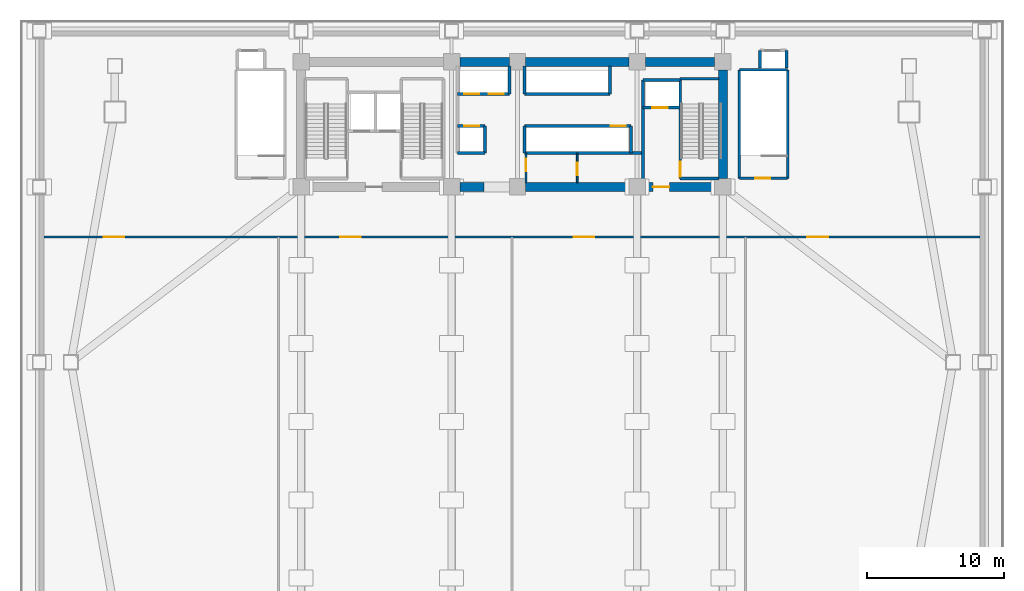
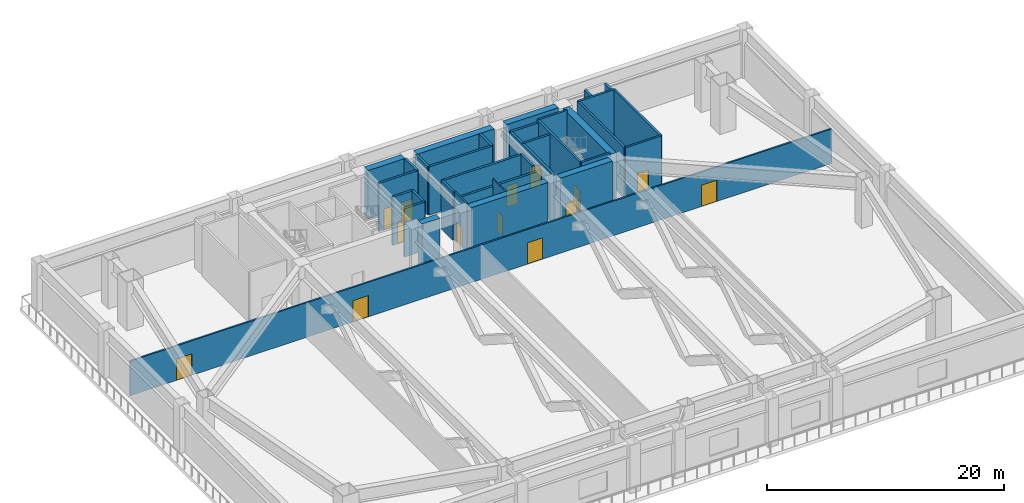
# One storey, part 4 of 8: 34 walls, 14 doors, 14 openings.
"""IFC4 building model written with IfcOpenShell, lengths in metres."""

from ifc_helpers import new_model, si_unit, direction, frame, frame_2d, origin, place, context, subcontext, project, spatial, rectangle, extrude, source, transform, mapped, material, layer, layer_set, type_object, element, fill, save


model = new_model("IFC4")

# Units and contexts
model_context = context("Model", 3, precision=1e-05, world=origin(), true_north=direction((0.0, 1.0)))
body_context = subcontext(model_context, "Body", "Model", "MODEL_VIEW")
ifc_project = project(units=[si_unit("LENGTHUNIT", "METRE"), si_unit("AREAUNIT", "SQUARE_METRE"), si_unit("VOLUMEUNIT", "CUBIC_METRE"), si_unit("PLANEANGLEUNIT", "RADIAN"), si_unit("MASSUNIT", "GRAM", prefix="KILO")], contexts=[model_context])

# Site, building, storey
site_placement = place(None, origin())
site = spatial("IfcSite", under=ifc_project, at=site_placement, CompositionType="ELEMENT")
building_placement = place(site_placement, origin())
building = spatial("IfcBuilding", under=site, at=building_placement, Name="Giltprow Tower", CompositionType="ELEMENT")
storey_placement = place(building_placement, frame((0.0, 0.0, 20.199951171875)))
storey = spatial("IfcBuildingStorey", under=building, at=storey_placement, Name="L05", CompositionType="ELEMENT", Elevation=20.199951171875)

# Wall, openings, doors
ifc_material_1 = material(Name="Gypsum stud partition", Category="gypsum")
ifc_layer_1 = layer(ifc_material_1, 0.159912109375, Name="Gypsum stud partition")
ifc_layer_set_1 = layer_set([ifc_layer_1], Name="Gypsum stud partition")
wall_type_1 = type_object("IfcWallType", Name="IW-DEMISE-160", PredefinedType="PARTITIONING", material=ifc_layer_set_1)
wall_1_placement = place(storey_placement, frame((0.97998046875, 33.800048828125, 0.0), z_axis=(0.0, 0.0, 1.0), x_axis=(1.0, 0.0, 0.0)))
wall_1 = element("IfcWall", 1, at=wall_1_placement, inside=storey, type_object=wall_type_1, Name="L05 Plant Ring Corridor South Wall", PredefinedType="PARTITIONING", context=body_context, shape_type="SweptSolid", body=[
    extrude(rectangle(XDim=68.43994140625, YDim=0.159912109375, at=frame_2d((34.219970703125, 0.0))), origin(), (0.0, 0.0, 1.0), 3.56494140625),
])
opening_1_placement = place(wall_1_placement, frame((4.5, 0.0, 0.0)))
opening_1 = element("IfcOpeningElement", 2, at=opening_1_placement, cuts=wall_1, Name="Opening ID25", PredefinedType="OPENING", context=body_context, shape_type="SweptSolid", body=[
    extrude(rectangle(XDim=1.5, YDim=2.199951171875, at=frame_2d((0.75, 1.10009765625))), frame((0.0, 0.08984375, 0.0), z_axis=(0.0, -1.0, 0.0), x_axis=(1.0, 0.0, 0.0)), (0.0, 0.0, 1.0), 0.179931640625),
])
opening_2_placement = place(wall_1_placement, frame((21.719970703125, 0.0, 0.0)))
opening_2 = element("IfcOpeningElement", 3, at=opening_2_placement, cuts=wall_1, Name="Opening ID25", PredefinedType="OPENING", context=body_context, shape_type="SweptSolid", body=[
    extrude(rectangle(XDim=1.5, YDim=2.199951171875, at=frame_2d((0.75, 1.10009765625))), frame((0.0, 0.08984375, 0.0), z_axis=(0.0, -1.0, 0.0), x_axis=(1.0, 0.0, 0.0)), (0.0, 0.0, 1.0), 0.179931640625),
])
opening_3_placement = place(wall_1_placement, frame((38.719970703125, 0.0, 0.0)))
opening_3 = element("IfcOpeningElement", 4, at=opening_3_placement, cuts=wall_1, Name="Opening ID25", PredefinedType="OPENING", context=body_context, shape_type="SweptSolid", body=[
    extrude(rectangle(XDim=1.5, YDim=2.199951171875, at=frame_2d((0.75, 1.10009765625))), frame((0.0, 0.08984375, 0.0), z_axis=(0.0, -1.0, 0.0), x_axis=(1.0, 0.0, 0.0)), (0.0, 0.0, 1.0), 0.179931640625),
])
opening_4_placement = place(wall_1_placement, frame((55.719970703125, 0.0, 0.0)))
opening_4 = element("IfcOpeningElement", 5, at=opening_4_placement, cuts=wall_1, Name="Opening ID25", PredefinedType="OPENING", context=body_context, shape_type="SweptSolid", body=[
    extrude(rectangle(XDim=1.5, YDim=2.199951171875, at=frame_2d((0.75, 1.10009765625))), frame((0.0, 0.08984375, 0.0), z_axis=(0.0, -1.0, 0.0), x_axis=(1.0, 0.0, 0.0)), (0.0, 0.0, 1.0), 0.179931640625),
])
ifc_material_2 = material(Name="Steel fire leaf", Category="steel")
door_type_1 = type_object("IfcDoorType", Name="DR-PLANT-1500", OperationType="DOUBLE_SWING_LEFT", PredefinedType="DOOR", material=ifc_material_2)
shared_shape_1 = source(origin(), body_context, "Body", "SweptSolid", [
    extrude(rectangle(XDim=1.5, YDim=2.199951171875, at=frame_2d((0.75, 1.10009765625))), frame((0.0, 0.02490234375, 0.0), z_axis=(0.0, -1.0, 0.0), x_axis=(1.0, 0.0, 0.0)), (0.0, 0.0, 1.0), 0.050048828125),
])
door_1_placement = place(opening_1_placement, origin())
door_1 = element("IfcDoor", 6, at=door_1_placement, inside=storey, type_object=door_type_1, Name="L05 Podium Air Handling Plant Room Door", OperationType="DOUBLE_SWING_LEFT", OverallHeight=2.199951171875, OverallWidth=1.5, PredefinedType="DOOR", context=body_context, shape_type="MappedRepresentation", body=[
    mapped(shared_shape_1, transform((0.0, 0.0, 0.0), x_axis=(1.0, 0.0, 0.0), y_axis=(0.0, 1.0, 0.0), z_axis=(0.0, 0.0, 1.0), scale=1.0)),
])
fill(opening_1, door_1)
door_2_placement = place(opening_2_placement, origin())
door_2 = element("IfcDoor", 7, at=door_2_placement, inside=storey, type_object=door_type_1, Name="L05 Transfer Level Heat Exchange Plant Room Door", OperationType="DOUBLE_SWING_LEFT", OverallHeight=2.199951171875, OverallWidth=1.5, PredefinedType="DOOR", context=body_context, shape_type="MappedRepresentation", body=[
    mapped(shared_shape_1, transform((0.0, 0.0, 0.0), x_axis=(1.0, 0.0, 0.0), y_axis=(0.0, 1.0, 0.0), z_axis=(0.0, 0.0, 1.0), scale=1.0)),
])
fill(opening_2, door_2)
door_3_placement = place(opening_3_placement, origin())
door_3 = element("IfcDoor", 8, at=door_3_placement, inside=storey, type_object=door_type_1, Name="L05 Low-Zone Chilled Water Pump Plant Room Door", OperationType="DOUBLE_SWING_LEFT", OverallHeight=2.199951171875, OverallWidth=1.5, PredefinedType="DOOR", context=body_context, shape_type="MappedRepresentation", body=[
    mapped(shared_shape_1, transform((0.0, 0.0, 0.0), x_axis=(1.0, 0.0, 0.0), y_axis=(0.0, 1.0, 0.0), z_axis=(0.0, 0.0, 1.0), scale=1.0)),
])
fill(opening_3, door_3)
door_4_placement = place(opening_4_placement, origin())
door_4 = element("IfcDoor", 9, at=door_4_placement, inside=storey, type_object=door_type_1, Name="L05 Smoke Control and Pressurization Fan Plant Room Door", OperationType="DOUBLE_SWING_LEFT", OverallHeight=2.199951171875, OverallWidth=1.5, PredefinedType="DOOR", context=body_context, shape_type="MappedRepresentation", body=[
    mapped(shared_shape_1, transform((0.0, 0.0, 0.0), x_axis=(1.0, 0.0, 0.0), y_axis=(0.0, 1.0, 0.0), z_axis=(0.0, 0.0, 1.0), scale=1.0)),
])
fill(opening_4, door_4)

# Wall, opening, door
ifc_material_3 = material(Name="Concrete C40", Category="concrete")
ifc_layer_2 = layer(ifc_material_3, 0.219970703125, Name="Concrete C40")
ifc_layer_set_2 = layer_set([ifc_layer_2], Name="Concrete C40")
wall_type_2 = type_object("IfcWallType", Name="IW-SHAFT-220", PredefinedType="SOLIDWALL", material=ifc_layer_set_2)
wall_2_placement = place(storey_placement, frame((44.719970703125, 43.219970703125, 0.0), z_axis=(0.0, 0.0, 1.0), x_axis=(1.0, 0.0, 0.0)))
wall_2 = element("IfcWall", 10, at=wall_2_placement, inside=storey, type_object=wall_type_2, Name="L05 FFL2 Front Shaft Wall", PredefinedType="SOLIDWALL", context=body_context, shape_type="SweptSolid", body=[
    extrude(rectangle(XDim=2.719970703125, YDim=0.219970703125, at=frame_2d((1.35986328125, 0.0))), origin(), (0.0, 0.0, 1.0), 4.97998046875),
])
opening_5_placement = place(wall_2_placement, frame((0.699951171875, 0.0, 0.0)))
opening_5 = element("IfcOpeningElement", 11, at=opening_5_placement, cuts=wall_2, Name="Opening LD-11", PredefinedType="OPENING", context=body_context, shape_type="SweptSolid", body=[
    extrude(rectangle(XDim=1.10009765625, YDim=2.199951171875, at=frame_2d((0.550048828125, 1.10009765625))), frame((0.0, 0.119873046875, 0.0), z_axis=(0.0, -1.0, 0.0), x_axis=(1.0, 0.0, 0.0)), (0.0, 0.0, 1.0), 0.239990234375),
])
ifc_material_4 = material(Name="Stainless steel", Category="steel")
door_type_2 = type_object("IfcDoorType", Name="DR-LIFT-LD1100", OperationType="SLIDING_TO_LEFT", PredefinedType="DOOR", material=ifc_material_4)
shared_shape_2 = source(origin(), body_context, "Body", "SweptSolid", [
    extrude(rectangle(XDim=1.10009765625, YDim=2.199951171875, at=frame_2d((0.550048828125, 1.10009765625))), frame((0.0, 0.02490234375, 0.0), z_axis=(0.0, -1.0, 0.0), x_axis=(1.0, 0.0, 0.0)), (0.0, 0.0, 1.0), 0.050048828125),
])
door_5_placement = place(opening_5_placement, origin())
door_5 = element("IfcDoor", 12, at=door_5_placement, inside=storey, type_object=door_type_2, Name="L05 FFL2 Landing Door", OperationType="SLIDING_TO_LEFT", OverallHeight=2.199951171875, OverallWidth=1.10009765625, PredefinedType="DOOR", context=body_context, shape_type="MappedRepresentation", body=[
    mapped(shared_shape_2, transform((0.0, 0.0, 0.0), x_axis=(1.0, 0.0, 0.0), y_axis=(0.0, 1.0, 0.0), z_axis=(0.0, 0.0, 1.0), scale=1.0)),
])
fill(opening_5, door_5)

# Walls
wall_3_placement = place(storey_placement, frame((44.719970703125, 45.219970703125, 0.0), z_axis=(0.0, 0.0, 1.0), x_axis=(1.0, 0.0, 0.0)))
element("IfcWall", 13, at=wall_3_placement, inside=storey, type_object=wall_type_2, Name="L05 FFL2 Back Shaft Wall", PredefinedType="SOLIDWALL", context=body_context, shape_type="SweptSolid", body=[
    extrude(rectangle(XDim=2.719970703125, YDim=0.219970703125, at=frame_2d((1.35986328125, 0.0))), origin(), (0.0, 0.0, 1.0), 4.97998046875),
])
wall_4_placement = place(storey_placement, frame((44.719970703125, 37.7548828125, 0.0), z_axis=(0.0, 0.0, 1.0), x_axis=(0.0, 1.0, 0.0)))
element("IfcWall", 14, at=wall_4_placement, inside=storey, type_object=wall_type_2, Name="L05 East Firefighting Lobby West Wall", PredefinedType="SOLIDWALL", context=body_context, shape_type="SweptSolid", body=[
    extrude(rectangle(XDim=7.465087890625, YDim=0.219970703125, at=frame_2d((3.732421875, 0.0))), origin(), (0.0, 0.0, 1.0), 4.97998046875),
])
for number, where, z_axis, x_axis, name in (
    (15, (53.22998046875, 46.090087890625, 0.0), (0.0, 0.0, 1.0), (0.0, 1.0, 0.0), "L05 PL-P2 West Shaft Wall"),
    (16, (55.18994140625, 46.090087890625, 0.0), (0.0, 0.0, 1.0), (0.0, 1.0, 0.0), "L05 PL-P2 East Shaft Wall"),
):
    element("IfcWall", number, at=place(storey_placement, frame(where, z_axis=z_axis, x_axis=x_axis)), inside=storey, type_object=wall_type_2, Name=name, PredefinedType="SOLIDWALL", context=body_context, shape_type="SweptSolid", body=[
        extrude(rectangle(XDim=1.289794921875, YDim=0.219970703125, at=frame_2d((0.64501953125, 0.0))), origin(), (0.0, 0.0, 1.0), 4.97998046875),
    ])

# Wall, openings, doors
wall_5_placement = place(storey_placement, frame((31.25, 44.219970703125, 0.0), z_axis=(0.0, 0.0, 1.0), x_axis=(1.0, 0.0, 0.0)))
wall_5 = element("IfcWall", 17, at=wall_5_placement, inside=storey, type_object=wall_type_2, Name="L05 North West Lift Shaft Front Wall", PredefinedType="SOLIDWALL", context=body_context, shape_type="SweptSolid", body=[
    extrude(rectangle(XDim=3.77001953125, YDim=0.219970703125, at=frame_2d((1.885009765625, 0.0))), origin(), (0.0, 0.0, 1.0), 4.97998046875),
])
opening_6_placement = place(wall_5_placement, frame((0.4599609375, 0.0, 0.0)))
opening_6 = element("IfcOpeningElement", 18, at=opening_6_placement, cuts=wall_5, Name="Opening LD-11", PredefinedType="OPENING", context=body_context, shape_type="SweptSolid", body=[
    extrude(rectangle(XDim=1.10009765625, YDim=2.199951171875, at=frame_2d((0.550048828125, 1.10009765625))), frame((0.0, 0.119873046875, 0.0), z_axis=(0.0, -1.0, 0.0), x_axis=(1.0, 0.0, 0.0)), (0.0, 0.0, 1.0), 0.239990234375),
])
opening_7_placement = place(wall_5_placement, frame((2.239990234375, 0.0, 0.0)))
opening_7 = element("IfcOpeningElement", 19, at=opening_7_placement, cuts=wall_5, Name="Opening LD-11", PredefinedType="OPENING", context=body_context, shape_type="SweptSolid", body=[
    extrude(rectangle(XDim=1.10009765625, YDim=2.199951171875, at=frame_2d((0.550048828125, 1.10009765625))), frame((0.0, 0.119873046875, 0.0), z_axis=(0.0, -1.0, 0.0), x_axis=(1.0, 0.0, 0.0)), (0.0, 0.0, 1.0), 0.239990234375),
])
door_6_placement = place(opening_6_placement, origin())
door_6 = element("IfcDoor", 20, at=door_6_placement, inside=storey, type_object=door_type_2, Name="L05 PL-L1 Landing Door", OperationType="SLIDING_TO_LEFT", OverallHeight=2.199951171875, OverallWidth=1.10009765625, PredefinedType="DOOR", context=body_context, shape_type="MappedRepresentation", body=[
    mapped(shared_shape_2, transform((0.0, 0.0, 0.0), x_axis=(1.0, 0.0, 0.0), y_axis=(0.0, 1.0, 0.0), z_axis=(0.0, 0.0, 1.0), scale=1.0)),
])
fill(opening_6, door_6)
door_7_placement = place(opening_7_placement, origin())
door_7 = element("IfcDoor", 21, at=door_7_placement, inside=storey, type_object=door_type_2, Name="L05 PL-L2 Landing Door", OperationType="SLIDING_TO_LEFT", OverallHeight=2.199951171875, OverallWidth=1.10009765625, PredefinedType="DOOR", context=body_context, shape_type="MappedRepresentation", body=[
    mapped(shared_shape_2, transform((0.0, 0.0, 0.0), x_axis=(1.0, 0.0, 0.0), y_axis=(0.0, 1.0, 0.0), z_axis=(0.0, 0.0, 1.0), scale=1.0)),
])
fill(opening_7, door_7)

# Walls
wall_6_placement = place(storey_placement, frame((36.1201171875, 44.219970703125, 0.0), z_axis=(0.0, 0.0, 1.0), x_axis=(1.0, 0.0, 0.0)))
element("IfcWall", 22, at=wall_6_placement, inside=storey, type_object=wall_type_2, Name="L05 North East Lift Shaft Front Wall", PredefinedType="SOLIDWALL", context=body_context, shape_type="SweptSolid", body=[
    extrude(rectangle(XDim=6.199951171875, YDim=0.219970703125, at=frame_2d((3.10009765625, 0.0))), origin(), (0.0, 0.0, 1.0), 4.97998046875),
])
for number, where, z_axis, x_axis, name in (
    (23, (35.02001953125, 44.219970703125, 0.0), (0.0, 0.0, 1.0), (0.0, 1.0, 0.0), "L05 North West Lift Shaft East Closure"),
    (24, (36.1201171875, 44.219970703125, 0.0), (0.0, 0.0, 1.0), (0.0, 1.0, 0.0), "L05 North East Lift Shaft West Closure"),
    (25, (42.320068359375, 44.219970703125, 0.0), (0.0, 0.0, 1.0), (0.0, 1.0, 0.0), "L05 North East Lift Shaft East Closure"),
):
    element("IfcWall", number, at=place(storey_placement, frame(where, z_axis=z_axis, x_axis=x_axis)), inside=storey, type_object=wall_type_2, Name=name, PredefinedType="SOLIDWALL", context=body_context, shape_type="SweptSolid", body=[
        extrude(rectangle(XDim=2.025146484375, YDim=0.219970703125, at=frame_2d((1.0126953125, 0.0))), origin(), (0.0, 0.0, 1.0), 4.97998046875),
    ])

# Wall, opening, door
wall_7_placement = place(storey_placement, frame((31.25, 41.8798828125, 0.0), z_axis=(0.0, 0.0, 1.0), x_axis=(1.0, 0.0, 0.0)))
wall_7 = element("IfcWall", 26, at=wall_7_placement, inside=storey, type_object=wall_type_2, Name="L05 South West Lift Shaft Front Wall", PredefinedType="SOLIDWALL", context=body_context, shape_type="SweptSolid", body=[
    extrude(rectangle(XDim=1.969970703125, YDim=0.219970703125, at=frame_2d((0.98486328125, 0.0))), origin(), (0.0, 0.0, 1.0), 4.97998046875),
])
opening_8_placement = place(wall_7_placement, frame((0.4599609375, 0.0, 0.0)))
opening_8 = element("IfcOpeningElement", 27, at=opening_8_placement, cuts=wall_7, Name="Opening LD-11", PredefinedType="OPENING", context=body_context, shape_type="SweptSolid", body=[
    extrude(rectangle(XDim=1.10009765625, YDim=2.199951171875, at=frame_2d((0.550048828125, 1.10009765625))), frame((0.0, 0.119873046875, 0.0), z_axis=(0.0, -1.0, 0.0), x_axis=(1.0, 0.0, 0.0)), (0.0, 0.0, 1.0), 0.239990234375),
])
door_8_placement = place(opening_8_placement, origin())
door_8 = element("IfcDoor", 28, at=door_8_placement, inside=storey, type_object=door_type_2, Name="L05 PL-L3 Landing Door", OperationType="SLIDING_TO_LEFT", OverallHeight=2.199951171875, OverallWidth=1.10009765625, PredefinedType="DOOR", context=body_context, shape_type="MappedRepresentation", body=[
    mapped(shared_shape_2, transform((0.0, 0.0, 0.0), x_axis=(1.0, 0.0, 0.0), y_axis=(0.0, 1.0, 0.0), z_axis=(0.0, 0.0, 1.0), scale=1.0)),
])
fill(opening_8, door_8)

wall_8_placement = place(storey_placement, frame((36.1201171875, 41.8798828125, 0.0), z_axis=(0.0, 0.0, 1.0), x_axis=(1.0, 0.0, 0.0)))
wall_8 = element("IfcWall", 29, at=wall_8_placement, inside=storey, type_object=wall_type_2, Name="L05 South East Lift Shaft Front Wall", PredefinedType="SOLIDWALL", context=body_context, shape_type="SweptSolid", body=[
    extrude(rectangle(XDim=7.72998046875, YDim=0.219970703125, at=frame_2d((3.864990234375, 0.0))), origin(), (0.0, 0.0, 1.0), 4.97998046875),
])
opening_9_placement = place(wall_8_placement, frame((6.260009765625, 0.0, 0.0)))
opening_9 = element("IfcOpeningElement", 30, at=opening_9_placement, cuts=wall_8, Name="Opening LD-11", PredefinedType="OPENING", context=body_context, shape_type="SweptSolid", body=[
    extrude(rectangle(XDim=1.10009765625, YDim=2.199951171875, at=frame_2d((0.550048828125, 1.10009765625))), frame((0.0, 0.119873046875, 0.0), z_axis=(0.0, -1.0, 0.0), x_axis=(1.0, 0.0, 0.0)), (0.0, 0.0, 1.0), 0.239990234375),
])
door_9_placement = place(opening_9_placement, origin())
door_9 = element("IfcDoor", 31, at=door_9_placement, inside=storey, type_object=door_type_2, Name="L05 PL-L4 Landing Door", OperationType="SLIDING_TO_LEFT", OverallHeight=2.199951171875, OverallWidth=1.10009765625, PredefinedType="DOOR", context=body_context, shape_type="MappedRepresentation", body=[
    mapped(shared_shape_2, transform((0.0, 0.0, 0.0), x_axis=(1.0, 0.0, 0.0), y_axis=(0.0, 1.0, 0.0), z_axis=(0.0, 0.0, 1.0), scale=1.0)),
])
fill(opening_9, door_9)

# Walls
wall_9_placement = place(storey_placement, frame((31.25, 39.919921875, 0.0), z_axis=(0.0, 0.0, 1.0), x_axis=(1.0, 0.0, 0.0)))
element("IfcWall", 32, at=wall_9_placement, inside=storey, type_object=wall_type_2, Name="L05 Low-Rise South Lift Back Wall", PredefinedType="SOLIDWALL", context=body_context, shape_type="SweptSolid", body=[
    extrude(rectangle(XDim=1.969970703125, YDim=0.219970703125, at=frame_2d((0.98486328125, 0.0))), origin(), (0.0, 0.0, 1.0), 4.97998046875),
])
wall_10_placement = place(storey_placement, frame((33.219970703125, 39.919921875, 0.0), z_axis=(0.0, 0.0, 1.0), x_axis=(0.0, 1.0, 0.0)))
element("IfcWall", 33, at=wall_10_placement, inside=storey, type_object=wall_type_2, Name="L05 Low-Rise South Lift East Closure", PredefinedType="SOLIDWALL", context=body_context, shape_type="SweptSolid", body=[
    extrude(rectangle(XDim=1.9599609375, YDim=0.219970703125, at=frame_2d((0.97998046875, 0.0))), origin(), (0.0, 0.0, 1.0), 4.97998046875),
])
wall_11_placement = place(storey_placement, frame((36.1201171875, 39.919921875, 0.0), z_axis=(0.0, 0.0, 1.0), x_axis=(1.0, 0.0, 0.0)))
element("IfcWall", 34, at=wall_11_placement, inside=storey, type_object=wall_type_2, Name="L05 Express South Shaft Back Wall", PredefinedType="SOLIDWALL", context=body_context, shape_type="SweptSolid", body=[
    extrude(rectangle(XDim=8.599853515625, YDim=0.219970703125, at=frame_2d((4.2998046875, 0.0))), origin(), (0.0, 0.0, 1.0), 4.26513671875),
])
for number, where, z_axis, x_axis, name in (
    (35, (36.1201171875, 39.919921875, 0.0), (0.0, 0.0, 1.0), (0.0, 1.0, 0.0), "L05 Express South Shaft West Closure"),
    (36, (43.85009765625, 39.919921875, 0.0), (0.0, 0.0, 1.0), (0.0, 1.0, 0.0), "L05 Lift Bank South-East Closure"),
):
    element("IfcWall", number, at=place(storey_placement, frame(where, z_axis=z_axis, x_axis=x_axis)), inside=storey, type_object=wall_type_2, Name=name, PredefinedType="SOLIDWALL", context=body_context, shape_type="SweptSolid", body=[
        extrude(rectangle(XDim=1.9599609375, YDim=0.219970703125, at=frame_2d((0.97998046875, 0.0))), origin(), (0.0, 0.0, 1.0), 4.97998046875),
    ])

# Wall, opening, door
ifc_layer_3 = layer(ifc_material_3, 0.199951171875, Name="Concrete C40")
ifc_layer_set_3 = layer_set([ifc_layer_3], Name="Concrete C40")
wall_type_3 = type_object("IfcWallType", Name="IW-STAIR-200", PredefinedType="SOLIDWALL", material=ifc_layer_set_3)
wall_12_placement = place(storey_placement, frame((47.43994140625, 38.070068359375, 0.0), z_axis=(0.0, 0.0, 1.0), x_axis=(0.0, 1.0, 0.0)))
wall_12 = element("IfcWall", 37, at=wall_12_placement, inside=storey, type_object=wall_type_3, Name="L05 Stair ST-3 West Bearing Wall", PredefinedType="SOLIDWALL", context=body_context, shape_type="SweptSolid", body=[
    extrude(rectangle(XDim=7.25, YDim=0.199951171875, at=frame_2d((3.625, 0.0))), origin(), (0.0, 0.0, 1.0), 5.199951171875),
])
opening_10_placement = place(wall_12_placement, frame((0.110107421875, 0.0, 0.0)))
opening_10 = element("IfcOpeningElement", 38, at=opening_10_placement, cuts=wall_12, Name="Opening ID33", PredefinedType="OPENING", context=body_context, shape_type="SweptSolid", body=[
    extrude(rectangle(XDim=1.10009765625, YDim=2.14990234375, at=frame_2d((0.550048828125, 1.074951171875))), frame((0.0, 0.10986328125, 0.0), z_axis=(0.0, -1.0, 0.0), x_axis=(1.0, 0.0, 0.0)), (0.0, 0.0, 1.0), 0.219970703125),
])
door_type_3 = type_object("IfcDoorType", Name="DR-STAIR-1100", OperationType="SINGLE_SWING_LEFT", PredefinedType="DOOR", material=ifc_material_2)
shared_shape_3 = source(origin(), body_context, "Body", "SweptSolid", [
    extrude(rectangle(XDim=1.10009765625, YDim=2.14990234375, at=frame_2d((0.550048828125, 1.074951171875))), frame((0.0, 0.02490234375, 0.0), z_axis=(0.0, -1.0, 0.0), x_axis=(1.0, 0.0, 0.0)), (0.0, 0.0, 1.0), 0.050048828125),
])
door_10_placement = place(opening_10_placement, origin())
door_10 = element("IfcDoor", 39, at=door_10_placement, inside=storey, type_object=door_type_3, Name="L05 Stair ST-3 Fire Door", OperationType="SINGLE_SWING_LEFT", OverallHeight=2.14990234375, OverallWidth=1.10009765625, PredefinedType="DOOR", context=body_context, shape_type="MappedRepresentation", body=[
    mapped(shared_shape_3, transform((0.0, 0.0, 0.0), x_axis=(1.0, 0.0, 0.0), y_axis=(0.0, 1.0, 0.0), z_axis=(0.0, 0.0, 1.0), scale=1.0)),
])
fill(opening_10, door_10)

# Walls
for number, where, z_axis, x_axis, name in (
    (40, (47.43994140625, 45.320068359375, 0.0), (0.0, 0.0, 1.0), (1.0, 0.0, 0.0), "L05 Stair ST-3 North Bearing Wall"),
    (41, (47.43994140625, 38.070068359375, 0.0), (0.0, 0.0, 1.0), (1.0, 0.0, 0.0), "L05 Stair ST-3 South Bearing Wall"),
):
    element("IfcWall", number, at=place(storey_placement, frame(where, z_axis=z_axis, x_axis=x_axis)), inside=storey, type_object=wall_type_3, Name=name, PredefinedType="SOLIDWALL", context=body_context, shape_type="SweptSolid", body=[
        extrude(rectangle(XDim=2.80517578125, YDim=0.199951171875, at=frame_2d((1.402587890625, 0.0))), origin(), (0.0, 0.0, 1.0), 5.199951171875),
    ])
for number, where, z_axis, x_axis, name in (
    (42, (51.739990234375, 38.080078125, 0.0), (0.0, 0.0, 1.0), (0.0, 1.0, 0.0), "L05 Podium Stair ST-P2 West Bearing Wall"),
    (43, (55.260009765625, 38.080078125, 0.0), (0.0, 0.0, 1.0), (0.0, 1.0, 0.0), "L05 Podium Stair ST-P2 East Bearing Wall"),
):
    element("IfcWall", number, at=place(storey_placement, frame(where, z_axis=z_axis, x_axis=x_axis)), inside=storey, type_object=wall_type_3, Name=name, PredefinedType="SOLIDWALL", context=body_context, shape_type="SweptSolid", body=[
        extrude(rectangle(XDim=7.89990234375, YDim=0.199951171875, at=frame_2d((3.949951171875, 0.0))), origin(), (0.0, 0.0, 1.0), 5.199951171875),
    ])
wall_13_placement = place(storey_placement, frame((51.739990234375, 45.97998046875, 0.0), z_axis=(0.0, 0.0, 1.0), x_axis=(1.0, 0.0, 0.0)))
element("IfcWall", 44, at=wall_13_placement, inside=storey, type_object=wall_type_3, Name="L05 Podium Stair ST-P2 North Bearing Wall", PredefinedType="SOLIDWALL", context=body_context, shape_type="SweptSolid", body=[
    extrude(rectangle(XDim=3.52001953125, YDim=0.199951171875, at=frame_2d((1.760009765625, 0.0))), origin(), (0.0, 0.0, 1.0), 5.199951171875),
])

# Wall, opening, door
wall_14_placement = place(storey_placement, frame((51.739990234375, 38.080078125, 0.0), z_axis=(0.0, 0.0, 1.0), x_axis=(1.0, 0.0, 0.0)))
wall_14 = element("IfcWall", 45, at=wall_14_placement, inside=storey, type_object=wall_type_3, Name="L05 Podium Stair ST-P2 South Bearing Wall", PredefinedType="SOLIDWALL", context=body_context, shape_type="SweptSolid", body=[
    extrude(rectangle(XDim=3.52001953125, YDim=0.199951171875, at=frame_2d((1.760009765625, 0.0))), origin(), (0.0, 0.0, 1.0), 5.199951171875),
])
opening_11_placement = place(wall_14_placement, frame((1.14990234375, 0.0, 0.0)))
opening_11 = element("IfcOpeningElement", 46, at=opening_11_placement, cuts=wall_14, Name="Opening ID33", PredefinedType="OPENING", context=body_context, shape_type="SweptSolid", body=[
    extrude(rectangle(XDim=1.10009765625, YDim=2.14990234375, at=frame_2d((0.550048828125, 1.074951171875))), frame((0.0, 0.10986328125, 0.0), z_axis=(0.0, -1.0, 0.0), x_axis=(1.0, 0.0, 0.0)), (0.0, 0.0, 1.0), 0.219970703125),
])
door_11_placement = place(opening_11_placement, origin())
door_11 = element("IfcDoor", 47, at=door_11_placement, inside=storey, type_object=door_type_3, Name="L05 Podium Stair ST-P2 Door", OperationType="SINGLE_SWING_LEFT", OverallHeight=2.14990234375, OverallWidth=1.10009765625, PredefinedType="DOOR", context=body_context, shape_type="MappedRepresentation", body=[
    mapped(shared_shape_3, transform((0.0, 0.0, 0.0), x_axis=(1.0, 0.0, 0.0), y_axis=(0.0, 1.0, 0.0), z_axis=(0.0, 0.0, 1.0), scale=1.0)),
])
fill(opening_11, door_11)

ifc_material_5 = material(Name="Concrete C30", Category="concrete")
ifc_layer_4 = layer(ifc_material_5, 0.1298828125, Name="Concrete C30")
ifc_layer_set_4 = layer_set([ifc_layer_4], Name="Concrete C30")
wall_type_4 = type_object("IfcWallType", Name="IW-WET-130", PredefinedType="PARTITIONING", material=ifc_layer_set_4)
wall_15_placement = place(storey_placement, frame((36.219970703125, 37.7548828125, 0.0), z_axis=(0.0, 0.0, 1.0), x_axis=(0.0, 1.0, 0.0)))
wall_15 = element("IfcWall", 48, at=wall_15_placement, inside=storey, type_object=wall_type_4, Name="L05 Core Suite West Wall", PredefinedType="PARTITIONING", context=body_context, shape_type="SweptSolid", body=[
    extrude(rectangle(XDim=2.1650390625, YDim=0.1298828125, at=frame_2d((1.08251953125, 0.0))), origin(), (0.0, 0.0, 1.0), 4.97998046875),
])
opening_12_placement = place(wall_15_placement, frame((0.85498046875, 0.0, 0.0)))
opening_12 = element("IfcOpeningElement", 49, at=opening_12_placement, cuts=wall_15, Name="Opening ID35", PredefinedType="OPENING", context=body_context, shape_type="SweptSolid", body=[
    extrude(rectangle(XDim=0.89990234375, YDim=2.10009765625, at=frame_2d((0.449951171875, 1.050048828125))), frame((0.0, 0.074951171875, 0.0), z_axis=(0.0, -1.0, 0.0), x_axis=(1.0, 0.0, 0.0)), (0.0, 0.0, 1.0), 0.14990234375),
])
door_type_4 = type_object("IfcDoorType", Name="DR-SHAFT-900", OperationType="SINGLE_SWING_LEFT", PredefinedType="DOOR", material=ifc_material_2)
shared_shape_4 = source(origin(), body_context, "Body", "SweptSolid", [
    extrude(rectangle(XDim=0.89990234375, YDim=2.10009765625, at=frame_2d((0.449951171875, 1.050048828125))), frame((0.0, 0.02490234375, 0.0), z_axis=(0.0, -1.0, 0.0), x_axis=(1.0, 0.0, 0.0)), (0.0, 0.0, 1.0), 0.050048828125),
])
door_12_placement = place(opening_12_placement, origin())
door_12 = element("IfcDoor", 50, at=door_12_placement, inside=storey, type_object=door_type_4, Name="L05 Core Powder Room Door", OperationType="SINGLE_SWING_RIGHT", OverallHeight=2.10009765625, OverallWidth=0.89990234375, PredefinedType="DOOR", context=body_context, shape_type="MappedRepresentation", body=[
    mapped(shared_shape_4, transform((0.0, 0.0, 0.0), x_axis=(1.0, 0.0, 0.0), y_axis=(0.0, 1.0, 0.0), z_axis=(0.0, 0.0, 1.0), scale=1.0)),
])
fill(opening_12, door_12)

wall_16_placement = place(storey_placement, frame((39.949951171875, 37.7548828125, 0.0), z_axis=(0.0, 0.0, 1.0), x_axis=(0.0, 1.0, 0.0)))
wall_16 = element("IfcWall", 51, at=wall_16_placement, inside=storey, type_object=wall_type_4, Name="L05 Core Suite Divider", PredefinedType="PARTITIONING", context=body_context, shape_type="SweptSolid", body=[
    extrude(rectangle(XDim=2.1650390625, YDim=0.1298828125, at=frame_2d((1.08251953125, 0.0))), origin(), (0.0, 0.0, 1.0), 4.97998046875),
])
opening_13_placement = place(wall_16_placement, frame((0.56494140625, 0.0, 0.0)))
opening_13 = element("IfcOpeningElement", 52, at=opening_13_placement, cuts=wall_16, Name="Opening ID35", PredefinedType="OPENING", context=body_context, shape_type="SweptSolid", body=[
    extrude(rectangle(XDim=0.89990234375, YDim=2.10009765625, at=frame_2d((0.449951171875, 1.050048828125))), frame((0.0, 0.074951171875, 0.0), z_axis=(0.0, -1.0, 0.0), x_axis=(1.0, 0.0, 0.0)), (0.0, 0.0, 1.0), 0.14990234375),
])
door_13_placement = place(opening_13_placement, origin())
door_13 = element("IfcDoor", 53, at=door_13_placement, inside=storey, type_object=door_type_4, Name="L05 Core Pantry Closet Door", OperationType="SINGLE_SWING_LEFT", OverallHeight=2.10009765625, OverallWidth=0.89990234375, PredefinedType="DOOR", context=body_context, shape_type="MappedRepresentation", body=[
    mapped(shared_shape_4, transform((0.0, 0.0, 0.0), x_axis=(1.0, 0.0, 0.0), y_axis=(0.0, 1.0, 0.0), z_axis=(0.0, 0.0, 1.0), scale=1.0)),
])
fill(opening_13, door_13)

# Walls
ifc_material_6 = material(Name="Concrete C60", Category="concrete")
ifc_layer_5 = layer(ifc_material_6, 0.64990234375, Name="Concrete C60")
ifc_layer_set_5 = layer_set([ifc_layer_5], Name="Concrete C60")
wall_type_5 = type_object("IfcWallType", Name="SW-INT-650-C60", PredefinedType="SHEAR", material=ifc_layer_set_5)
wall_17_placement = place(storey_placement, frame((31.39990234375, 46.550048828125, 0.0), z_axis=(0.0, 0.0, 1.0), x_axis=(1.0, 0.0, 0.0)))
element("IfcWall", 54, at=wall_17_placement, inside=storey, type_object=wall_type_5, Name="L05 North Rear Core Shear Wall 2", PredefinedType="SHEAR", context=body_context, shape_type="SweptSolid", body=[
    extrude(rectangle(XDim=3.60009765625, YDim=0.64990234375, at=frame_2d((1.800048828125, 0.0))), origin(), (0.0, 0.0, 1.0), 4.97998046875),
])
wall_18_placement = place(storey_placement, frame((36.199951171875, 46.550048828125, 0.0), z_axis=(0.0, 0.0, 1.0), x_axis=(1.0, 0.0, 0.0)))
element("IfcWall", 55, at=wall_18_placement, inside=storey, type_object=wall_type_5, Name="L05 North Rear Core Shear Wall 3", PredefinedType="SHEAR", context=body_context, shape_type="SweptSolid", body=[
    extrude(rectangle(XDim=7.5, YDim=0.64990234375, at=frame_2d((3.75, 0.0))), origin(), (0.0, 0.0, 1.0), 4.97998046875),
])
wall_19_placement = place(storey_placement, frame((44.89990234375, 46.550048828125, 0.0), z_axis=(0.0, 0.0, 1.0), x_axis=(1.0, 0.0, 0.0)))
element("IfcWall", 56, at=wall_19_placement, inside=storey, type_object=wall_type_5, Name="L05 North Rear Core Shear Wall 4", PredefinedType="SHEAR", context=body_context, shape_type="SweptSolid", body=[
    extrude(rectangle(XDim=5.050048828125, YDim=0.64990234375, at=frame_2d((2.52490234375, 0.0))), origin(), (0.0, 0.0, 1.0), 4.97998046875),
])
wall_20_placement = place(storey_placement, frame((31.39990234375, 37.449951171875, 0.0), z_axis=(0.0, 0.0, 1.0), x_axis=(1.0, 0.0, 0.0)))
element("IfcWall", 57, at=wall_20_placement, inside=storey, type_object=wall_type_5, Name="L05 South Rear Core Shear Wall Mid-West", PredefinedType="SHEAR", context=body_context, shape_type="SweptSolid", body=[
    extrude(rectangle(XDim=1.75, YDim=0.64990234375, at=frame_2d((0.875, 0.0))), origin(), (0.0, 0.0, 1.0), 4.97998046875),
])
wall_21_placement = place(storey_placement, frame((36.199951171875, 37.449951171875, 0.0), z_axis=(0.0, 0.0, 1.0), x_axis=(1.0, 0.0, 0.0)))
element("IfcWall", 58, at=wall_21_placement, inside=storey, type_object=wall_type_5, Name="L05 South Rear Core Shear Wall Mid-East", PredefinedType="SHEAR", context=body_context, shape_type="SweptSolid", body=[
    extrude(rectangle(XDim=7.5, YDim=0.64990234375, at=frame_2d((3.75, 0.0))), origin(), (0.0, 0.0, 1.0), 4.97998046875),
])

# Wall, opening, door
wall_22_placement = place(storey_placement, frame((44.89990234375, 37.449951171875, 0.0), z_axis=(0.0, 0.0, 1.0), x_axis=(1.0, 0.0, 0.0)))
wall_22 = element("IfcWall", 59, at=wall_22_placement, inside=storey, type_object=wall_type_5, Name="L05 South Rear Core Shear Wall East", PredefinedType="SHEAR", context=body_context, shape_type="SweptSolid", body=[
    extrude(rectangle(XDim=5.050048828125, YDim=0.64990234375, at=frame_2d((2.52490234375, 0.0))), origin(), (0.0, 0.0, 1.0), 4.97998046875),
])
opening_14_placement = place(wall_22_placement, frame((0.550048828125, 0.0, 0.0)))
opening_14 = element("IfcOpeningElement", 60, at=opening_14_placement, cuts=wall_22, Name="Opening ID19", PredefinedType="OPENING", context=body_context, shape_type="SweptSolid", body=[
    extrude(rectangle(XDim=1.199951171875, YDim=2.14990234375, at=frame_2d((0.60009765625, 1.074951171875))), frame((0.0, 0.3349609375, 0.0), z_axis=(0.0, -1.0, 0.0), x_axis=(1.0, 0.0, 0.0)), (0.0, 0.0, 1.0), 0.669921875),
])
door_type_5 = type_object("IfcDoorType", Name="DR-FFLOBBY-1200", OperationType="SINGLE_SWING_RIGHT", PredefinedType="DOOR", material=ifc_material_2)
shared_shape_5 = source(origin(), body_context, "Body", "SweptSolid", [
    extrude(rectangle(XDim=1.199951171875, YDim=2.14990234375, at=frame_2d((0.60009765625, 1.074951171875))), frame((0.0, 0.02490234375, 0.0), z_axis=(0.0, -1.0, 0.0), x_axis=(1.0, 0.0, 0.0)), (0.0, 0.0, 1.0), 0.050048828125),
])
door_14_placement = place(opening_14_placement, origin())
door_14 = element("IfcDoor", 61, at=door_14_placement, inside=storey, type_object=door_type_5, Name="L05 East Firefighting Lobby Entry Door", OperationType="SINGLE_SWING_RIGHT", OverallHeight=2.14990234375, OverallWidth=1.199951171875, PredefinedType="DOOR", context=body_context, shape_type="MappedRepresentation", body=[
    mapped(shared_shape_5, transform((0.0, 0.0, 0.0), x_axis=(1.0, 0.0, 0.0), y_axis=(0.0, 1.0, 0.0), z_axis=(0.0, 0.0, 1.0), scale=1.0)),
])
fill(opening_14, door_14)

# Wall
wall_23_placement = place(storey_placement, frame((50.550048828125, 38.050048828125, 0.0), z_axis=(0.0, 0.0, 1.0), x_axis=(0.0, 1.0, 0.0)))
element("IfcWall", 62, at=wall_23_placement, inside=storey, type_object=wall_type_5, Name="L05 E Rear Core Shear Wall", PredefinedType="SHEAR", context=body_context, shape_type="SweptSolid", body=[
    extrude(rectangle(XDim=7.89990234375, YDim=0.64990234375, at=frame_2d((3.949951171875, 0.0))), origin(), (0.0, 0.0, 1.0), 4.97998046875),
])

save(model, "model.ifc")
